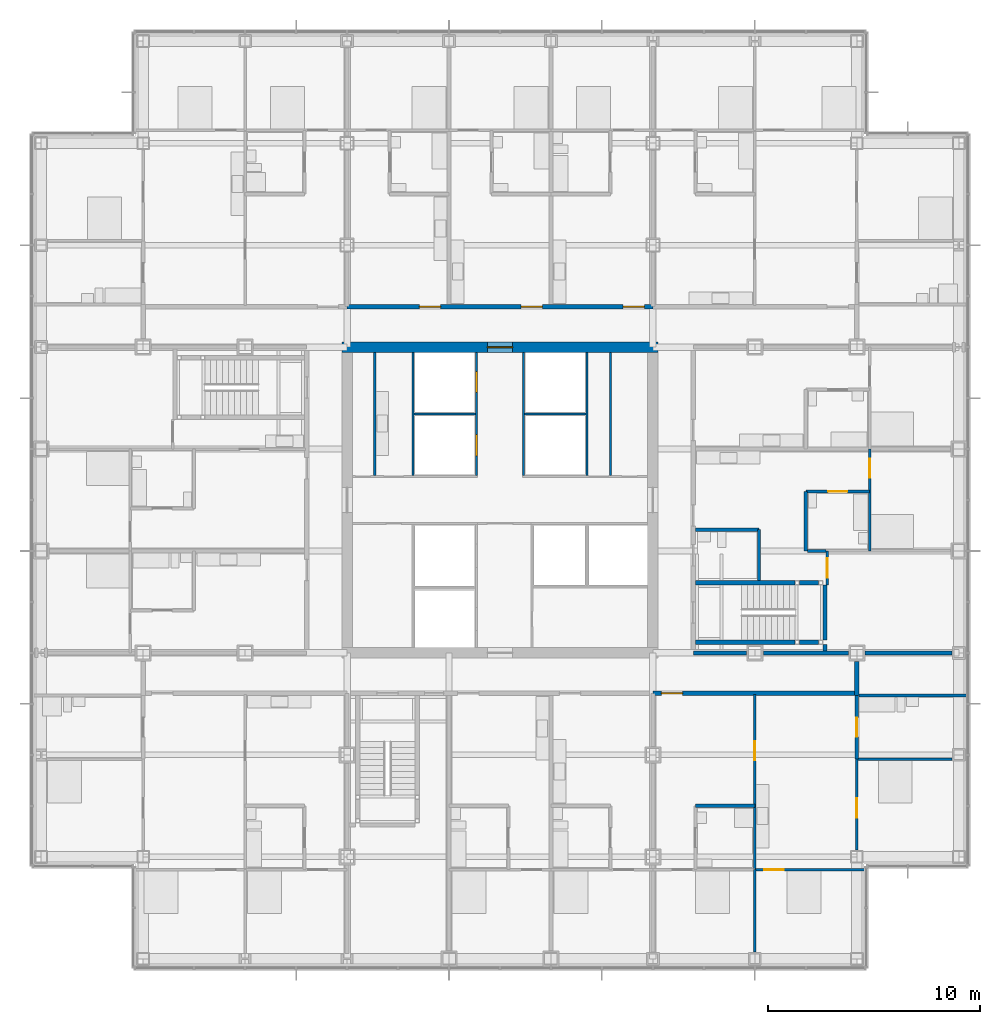
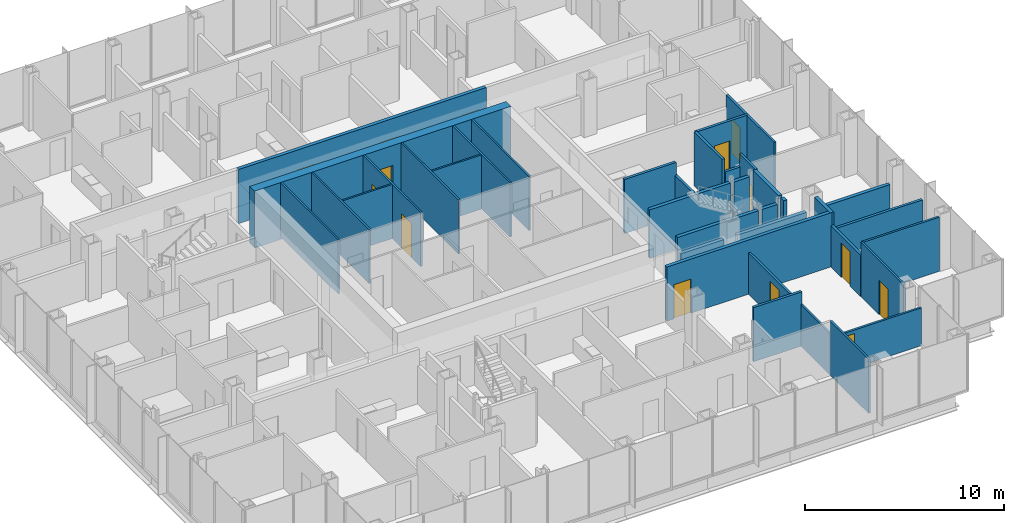
# One storey, part 16 of 21: 36 walls, 14 doors, 14 openings.
"""IFC4 building model written with IfcOpenShell, lengths in metres."""

from ifc_helpers import new_model, si_unit, direction, frame, frame_2d, origin, place, context, subcontext, project, spatial, rectangle, extrude, material, layer, layer_set, type_object, element, fill, save


model = new_model("IFC4")

# Units and contexts
model_context = context("Model", 3, precision=1e-05, world=origin(), true_north=direction((0.0, 1.0)))
body_context = subcontext(model_context, "Body", "Model", "MODEL_VIEW")
ifc_project = project(units=[si_unit("LENGTHUNIT", "METRE"), si_unit("AREAUNIT", "SQUARE_METRE"), si_unit("VOLUMEUNIT", "CUBIC_METRE"), si_unit("PLANEANGLEUNIT", "RADIAN"), si_unit("MASSUNIT", "GRAM", prefix="KILO")], contexts=[model_context])

# Site, building, storey
site_placement = place(None, origin())
site = spatial("IfcSite", under=ifc_project, at=site_placement, CompositionType="ELEMENT")
building_placement = place(site_placement, origin())
building = spatial("IfcBuilding", under=site, at=building_placement, Name="Kvirike Care Tower", CompositionType="ELEMENT")
storey_placement = place(building_placement, frame((0.0, 0.0, 51.5)))
storey = spatial("IfcBuildingStorey", under=building, at=storey_placement, Name="L13", CompositionType="ELEMENT", Elevation=51.5)

# Wall
ifc_material_1 = material(Name="Moisture-resistant board partition", Category="gypsum")
ifc_layer_1 = layer(ifc_material_1, 0.14990234375)
ifc_layer_set_1 = layer_set([ifc_layer_1], Name="BATHROOM WALL 150")
wall_type_1 = type_object("IfcWallType", Name="BATHROOM WALL 150", PredefinedType="PARTITIONING", material=ifc_layer_set_1)
wall_1_placement = place(storey_placement, frame((30.800048828125, 21.60009765625, 0.0), z_axis=(0.0, 0.0, 1.0), x_axis=(1.0, 0.0, 0.0)))
element("IfcWall", 1, at=wall_1_placement, inside=storey, type_object=wall_type_1, Name="Bathroom Wall 150 L13", PredefinedType="PARTITIONING", context=body_context, shape_type="SweptSolid", body=[
    extrude(rectangle(XDim=2.800048828125, YDim=0.14990234375, at=frame_2d((1.39990234375, 0.0))), origin(), (0.0, 0.0, 1.0), 3.330078125),
])

# Wall, opening, door
wall_2_placement = place(storey_placement, frame((38.39990234375, 23.800048828125, 0.0), z_axis=(0.0, 0.0, 1.0), x_axis=(0.0, 1.0, 0.0)))
wall_2 = element("IfcWall", 2, at=wall_2_placement, inside=storey, type_object=wall_type_1, Name="Bathroom Wall 150 L13", PredefinedType="PARTITIONING", context=body_context, shape_type="SweptSolid", body=[
    extrude(rectangle(XDim=3.0, YDim=0.14990234375, at=frame_2d((1.5, 0.0))), origin(), (0.0, 0.0, 1.0), 2.550048828125),
])
opening_1_placement = place(wall_2_placement, frame((1.050048828125, 0.0, 0.0)))
opening_1 = element("IfcOpeningElement", 3, at=opening_1_placement, cuts=wall_2, Name="Opening 13-042", PredefinedType="OPENING", context=body_context, shape_type="SweptSolid", body=[
    extrude(rectangle(XDim=0.89990234375, YDim=2.10009765625, at=frame_2d((0.449951171875, 1.050048828125))), frame((0.0, 0.08544921875, 0.0), z_axis=(0.0, -1.0, 0.0), x_axis=(1.0, 0.0, 0.0)), (0.0, 0.0, 1.0), 0.1708984375),
])
ifc_material_2 = material(Name="Timber door set", Category="wood")
door_type_1 = type_object("IfcDoorType", Name="BATHROOM DOOR 900", OperationType="SINGLE_SWING_RIGHT", PredefinedType="DOOR", material=ifc_material_2)
door_1_placement = place(opening_1_placement, frame((0.89990234375, 0.0, 0.0), z_axis=(0.0, 0.0, 1.0), x_axis=(-1.0, 0.0, 0.0)))
door_1 = element("IfcDoor", 4, at=door_1_placement, inside=storey, type_object=door_type_1, Name="Bathroom door", OperationType="SINGLE_SWING_RIGHT", OverallHeight=2.10009765625, OverallWidth=0.89990234375, PredefinedType="DOOR", context=body_context, shape_type="SweptSolid", body=[
    extrude(rectangle(XDim=0.89990234375, YDim=2.10009765625, at=frame_2d((0.449951171875, 1.050048828125))), frame((0.0, 0.02197265625, 0.0), z_axis=(0.0, -1.0, 0.0), x_axis=(1.0, 0.0, 0.0)), (0.0, 0.0, 1.0), 0.0439453125),
])
fill(opening_1, door_1)

# Walls
wall_3_placement = place(storey_placement, frame((33.800048828125, 32.199951171875, 0.0), z_axis=(0.0, 0.0, 1.0), x_axis=(0.0, 1.0, 0.0)))
element("IfcWall", 5, at=wall_3_placement, inside=storey, type_object=wall_type_1, Name="Bathroom Wall 150 L13", PredefinedType="PARTITIONING", context=body_context, shape_type="SweptSolid", body=[
    extrude(rectangle(XDim=2.400146484375, YDim=0.14990234375, at=frame_2d((1.2001953125, 0.0))), origin(), (0.0, 0.0, 1.0), 2.550048828125),
])
wall_4_placement = place(storey_placement, frame((33.800048828125, 34.60009765625, 0.0), z_axis=(0.0, 0.0, 1.0), x_axis=(-1.0, 0.0, 0.0)))
element("IfcWall", 6, at=wall_4_placement, inside=storey, type_object=wall_type_1, Name="Bathroom Wall 150 L13", PredefinedType="PARTITIONING", context=body_context, shape_type="SweptSolid", body=[
    extrude(rectangle(XDim=3.0, YDim=0.14990234375, at=frame_2d((1.5, 0.0))), origin(), (0.0, 0.0, 1.0), 3.330078125),
])

# Wall, opening, door
wall_5_placement = place(storey_placement, frame((39.0, 36.39990234375, 0.0), z_axis=(0.0, 0.0, 1.0), x_axis=(-1.0, 0.0, 0.0)))
wall_5 = element("IfcWall", 7, at=wall_5_placement, inside=storey, type_object=wall_type_1, Name="Bathroom Wall 150 L13", PredefinedType="PARTITIONING", context=body_context, shape_type="SweptSolid", body=[
    extrude(rectangle(XDim=3.0, YDim=0.14990234375, at=frame_2d((1.5, 0.0))), origin(), (0.0, 0.0, 1.0), 3.330078125),
])
opening_2_placement = place(wall_5_placement, frame((1.050048828125, 0.0, 0.0)))
opening_2 = element("IfcOpeningElement", 8, at=opening_2_placement, cuts=wall_5, Name="Opening 13-048", PredefinedType="OPENING", context=body_context, shape_type="SweptSolid", body=[
    extrude(rectangle(XDim=0.89990234375, YDim=2.10009765625, at=frame_2d((0.449951171875, 1.050048828125))), frame((0.0, 0.08544921875, 0.0), z_axis=(0.0, -1.0, 0.0), x_axis=(1.0, 0.0, 0.0)), (0.0, 0.0, 1.0), 0.1708984375),
])
door_2_placement = place(opening_2_placement, origin())
door_2 = element("IfcDoor", 9, at=door_2_placement, inside=storey, type_object=door_type_1, Name="Bathroom door", OperationType="SINGLE_SWING_LEFT", OverallHeight=2.10009765625, OverallWidth=0.89990234375, PredefinedType="DOOR", context=body_context, shape_type="SweptSolid", body=[
    extrude(rectangle(XDim=0.89990234375, YDim=2.10009765625, at=frame_2d((0.449951171875, 1.050048828125))), frame((0.0, 0.02197265625, 0.0), z_axis=(0.0, -1.0, 0.0), x_axis=(1.0, 0.0, 0.0)), (0.0, 0.0, 1.0), 0.0439453125),
])
fill(opening_2, door_2)

# Walls
wall_6_placement = place(storey_placement, frame((36.0, 33.60009765625, 0.0), z_axis=(0.0, 0.0, 1.0), x_axis=(0.0, 1.0, 0.0)))
element("IfcWall", 10, at=wall_6_placement, inside=storey, type_object=wall_type_1, Name="Bathroom Wall 150 L13", PredefinedType="PARTITIONING", context=body_context, shape_type="SweptSolid", body=[
    extrude(rectangle(XDim=2.7998046875, YDim=0.14990234375, at=frame_2d((1.39990234375, 0.0))), origin(), (0.0, 0.0, 1.0), 3.330078125),
])
wall_7_placement = place(storey_placement, frame((38.5, 26.800048828125, 0.0), z_axis=(0.0, 0.0, 1.0), x_axis=(1.0, 0.0, 0.0)))
element("IfcWall", 11, at=wall_7_placement, inside=storey, type_object=wall_type_1, Name="Bathroom Wall 150 L13", PredefinedType="PARTITIONING", context=body_context, shape_type="SweptSolid", body=[
    extrude(rectangle(XDim=5.1298828125, YDim=0.14990234375, at=frame_2d((2.56494140625, 0.0))), origin(), (0.0, 0.0, 1.0), 2.320068359375),
])
wall_8_placement = place(storey_placement, frame((36.93994140625, 33.60009765625, 0.0), z_axis=(0.0, 0.0, 1.0), x_axis=(-1.0, 0.0, 0.0)))
element("IfcWall", 12, at=wall_8_placement, inside=storey, type_object=wall_type_1, Name="Bathroom Wall 150 L13", PredefinedType="PARTITIONING", context=body_context, shape_type="SweptSolid", body=[
    extrude(rectangle(XDim=0.864990234375, YDim=0.14990234375, at=frame_2d((0.4326171875, 0.0))), origin(), (0.0, 0.0, 1.0), 2.550048828125),
])

# Wall, opening, door
ifc_material_3 = material(Name="Concrete C60/75", Category="concrete")
ifc_layer_2 = layer(ifc_material_3, 0.5)
ifc_layer_set_2 = layer_set([ifc_layer_2], Name="CORE WALL 500 C60-75")
wall_type_2 = type_object("IfcWallType", Name="CORE WALL 500 C60-75", PredefinedType="SHEAR", material=ifc_layer_set_2)
wall_9_placement = place(storey_placement, frame((29.050048828125, 43.199951171875, -0.169921875), z_axis=(0.0, 0.0, 1.0), x_axis=(-1.0, 0.0, 0.0)))
wall_9 = element("IfcWall", 13, at=wall_9_placement, inside=storey, type_object=wall_type_2, Name="Core wall N L13", PredefinedType="SHEAR", context=body_context, shape_type="SweptSolid", body=[
    extrude(rectangle(XDim=14.900146484375, YDim=0.5, at=frame_2d((7.4501953125, 0.0))), origin(), (0.0, 0.0, 1.0), 3.5),
])
opening_3_placement = place(wall_9_placement, frame((6.85009765625, 0.0, 0.169921875)))
opening_3 = element("IfcOpeningElement", 14, at=opening_3_placement, cuts=wall_9, Name="Opening 13-078", PredefinedType="OPENING", context=body_context, shape_type="SweptSolid", body=[
    extrude(rectangle(XDim=1.199951171875, YDim=2.10009765625, at=frame_2d((0.60009765625, 1.050048828125))), frame((0.0, 0.260498046875, 0.0), z_axis=(0.0, -1.0, 0.0), x_axis=(1.0, 0.0, 0.0)), (0.0, 0.0, 1.0), 0.52099609375),
])
ifc_material_4 = material(Name="Timber door set", Category="wood")
door_type_2 = type_object("IfcDoorType", Name="CORE DOOR 1200", OperationType="SINGLE_SWING_LEFT", PredefinedType="DOOR", material=ifc_material_4)
door_3_placement = place(opening_3_placement, origin())
door_3 = element("IfcDoor", 15, at=door_3_placement, inside=storey, type_object=door_type_2, Name="Core door N L13", OperationType="SINGLE_SWING_LEFT", OverallHeight=2.10009765625, OverallWidth=1.199951171875, PredefinedType="DOOR", context=body_context, shape_type="SweptSolid", body=[
    extrude(rectangle(XDim=1.199951171875, YDim=2.10009765625, at=frame_2d((0.60009765625, 1.050048828125))), frame((0.0, 0.02685546875, 0.0), z_axis=(0.0, -1.0, 0.0), x_axis=(1.0, 0.0, 0.0)), (0.0, 0.0, 1.0), 0.053955078125),
])
fill(opening_3, door_3)

# Wall, openings, doors
ifc_material_5 = material(Name="Plasterboard corridor wall", Category="gypsum")
ifc_layer_3 = layer(ifc_material_5, 0.199951171875)
ifc_layer_set_3 = layer_set([ifc_layer_3], Name="CORRIDOR WALL 200")
wall_type_3 = type_object("IfcWallType", Name="CORRIDOR WALL 200", PredefinedType="PARTITIONING", material=ifc_layer_set_3)
wall_10_placement = place(storey_placement, frame((28.800048828125, 45.10009765625, 0.0), z_axis=(0.0, 0.0, 1.0), x_axis=(-1.0, 0.0, 0.0)))
wall_10 = element("IfcWall", 16, at=wall_10_placement, inside=storey, type_object=wall_type_3, Name="Corridor Wall 200 L13", PredefinedType="PARTITIONING", context=body_context, shape_type="SweptSolid", body=[
    extrude(rectangle(XDim=14.400146484375, YDim=0.199951171875, at=frame_2d((7.2001953125, 0.0))), origin(), (0.0, 0.0, 1.0), 3.330078125),
])
opening_4_placement = place(wall_10_placement, frame((0.39990234375, 0.0, 0.0)))
opening_4 = element("IfcOpeningElement", 17, at=opening_4_placement, cuts=wall_10, Name="Opening 13-038", PredefinedType="OPENING", context=body_context, shape_type="SweptSolid", body=[
    extrude(rectangle(XDim=1.0, YDim=2.10009765625, at=frame_2d((0.5, 1.050048828125))), frame((0.0, 0.110595703125, 0.0), z_axis=(0.0, -1.0, 0.0), x_axis=(1.0, 0.0, 0.0)), (0.0, 0.0, 1.0), 0.220947265625),
])
opening_5_placement = place(wall_10_placement, frame((5.199951171875, 0.0, 0.0)))
opening_5 = element("IfcOpeningElement", 18, at=opening_5_placement, cuts=wall_10, Name="Opening 13-039", PredefinedType="OPENING", context=body_context, shape_type="SweptSolid", body=[
    extrude(rectangle(XDim=1.0, YDim=2.10009765625, at=frame_2d((0.5, 1.050048828125))), frame((0.0, 0.110595703125, 0.0), z_axis=(0.0, -1.0, 0.0), x_axis=(1.0, 0.0, 0.0)), (0.0, 0.0, 1.0), 0.220947265625),
])
opening_6_placement = place(wall_10_placement, frame((10.0, 0.0, 0.0)))
opening_6 = element("IfcOpeningElement", 19, at=opening_6_placement, cuts=wall_10, Name="Opening 13-040", PredefinedType="OPENING", context=body_context, shape_type="SweptSolid", body=[
    extrude(rectangle(XDim=1.0, YDim=2.10009765625, at=frame_2d((0.5, 1.050048828125))), frame((0.0, 0.110595703125, 0.0), z_axis=(0.0, -1.0, 0.0), x_axis=(1.0, 0.0, 0.0)), (0.0, 0.0, 1.0), 0.220947265625),
])
ifc_material_6 = material(Name="Timber door set", Category="wood")
door_type_3 = type_object("IfcDoorType", Name="FLAT ENTRANCE DOOR 1000", OperationType="SINGLE_SWING_LEFT", PredefinedType="DOOR", material=ifc_material_6)
door_4_placement = place(opening_4_placement, frame((1.0, 0.0, 0.0), z_axis=(0.0, 0.0, 1.0), x_axis=(-1.0, 0.0, 0.0)))
door_4 = element("IfcDoor", 20, at=door_4_placement, inside=storey, type_object=door_type_3, Name="Studio apartment entrance", OperationType="SINGLE_SWING_LEFT", OverallHeight=2.10009765625, OverallWidth=1.0, PredefinedType="DOOR", context=body_context, shape_type="SweptSolid", body=[
    extrude(rectangle(XDim=1.0, YDim=2.10009765625, at=frame_2d((0.5, 1.050048828125))), frame((0.0, 0.02685546875, 0.0), z_axis=(0.0, -1.0, 0.0), x_axis=(1.0, 0.0, 0.0)), (0.0, 0.0, 1.0), 0.053955078125),
])
fill(opening_4, door_4)
door_5_placement = place(opening_5_placement, frame((1.0, 0.0, 0.0), z_axis=(0.0, 0.0, 1.0), x_axis=(-1.0, 0.0, 0.0)))
door_5 = element("IfcDoor", 21, at=door_5_placement, inside=storey, type_object=door_type_3, Name="Studio apartment entrance", OperationType="SINGLE_SWING_LEFT", OverallHeight=2.10009765625, OverallWidth=1.0, PredefinedType="DOOR", context=body_context, shape_type="SweptSolid", body=[
    extrude(rectangle(XDim=1.0, YDim=2.10009765625, at=frame_2d((0.5, 1.050048828125))), frame((0.0, 0.02685546875, 0.0), z_axis=(0.0, -1.0, 0.0), x_axis=(1.0, 0.0, 0.0)), (0.0, 0.0, 1.0), 0.053955078125),
])
fill(opening_5, door_5)
door_6_placement = place(opening_6_placement, frame((1.0, 0.0, 0.0), z_axis=(0.0, 0.0, 1.0), x_axis=(-1.0, 0.0, 0.0)))
door_6 = element("IfcDoor", 22, at=door_6_placement, inside=storey, type_object=door_type_3, Name="Studio apartment entrance", OperationType="SINGLE_SWING_LEFT", OverallHeight=2.10009765625, OverallWidth=1.0, PredefinedType="DOOR", context=body_context, shape_type="SweptSolid", body=[
    extrude(rectangle(XDim=1.0, YDim=2.10009765625, at=frame_2d((0.5, 1.050048828125))), frame((0.0, 0.02685546875, 0.0), z_axis=(0.0, -1.0, 0.0), x_axis=(1.0, 0.0, 0.0)), (0.0, 0.0, 1.0), 0.053955078125),
])
fill(opening_6, door_6)

# Wall, opening, door
wall_11_placement = place(storey_placement, frame((28.800048828125, 26.89990234375, 0.0), z_axis=(0.0, 0.0, 1.0), x_axis=(1.0, 0.0, 0.0)))
wall_11 = element("IfcWall", 23, at=wall_11_placement, inside=storey, type_object=wall_type_3, Name="Corridor Wall 200 L13", PredefinedType="PARTITIONING", context=body_context, shape_type="SweptSolid", body=[
    extrude(rectangle(XDim=9.599853515625, YDim=0.199951171875, at=frame_2d((4.7998046875, 0.0))), origin(), (0.0, 0.0, 1.0), 3.330078125),
])
opening_7_placement = place(wall_11_placement, frame((0.39990234375, 0.0, 0.0)))
opening_7 = element("IfcOpeningElement", 24, at=opening_7_placement, cuts=wall_11, Name="Opening 13-047", PredefinedType="OPENING", context=body_context, shape_type="SweptSolid", body=[
    extrude(rectangle(XDim=1.0, YDim=2.10009765625, at=frame_2d((0.5, 1.050048828125))), frame((0.0, 0.110595703125, 0.0), z_axis=(0.0, -1.0, 0.0), x_axis=(1.0, 0.0, 0.0)), (0.0, 0.0, 1.0), 0.220947265625),
])
door_7_placement = place(opening_7_placement, frame((1.0, 0.0, 0.0), z_axis=(0.0, 0.0, 1.0), x_axis=(-1.0, 0.0, 0.0)))
door_7 = element("IfcDoor", 25, at=door_7_placement, inside=storey, type_object=door_type_3, Name="Three-bedroom corner apartment entrance", OperationType="SINGLE_SWING_RIGHT", OverallHeight=2.10009765625, OverallWidth=1.0, PredefinedType="DOOR", context=body_context, shape_type="SweptSolid", body=[
    extrude(rectangle(XDim=1.0, YDim=2.10009765625, at=frame_2d((0.5, 1.050048828125))), frame((0.0, 0.02685546875, 0.0), z_axis=(0.0, -1.0, 0.0), x_axis=(1.0, 0.0, 0.0)), (0.0, 0.0, 1.0), 0.053955078125),
])
fill(opening_7, door_7)

# Wall
wall_12_placement = place(storey_placement, frame((38.39990234375, 26.800048828125, 0.0), z_axis=(0.0, 0.0, 1.0), x_axis=(0.0, 1.0, 0.0)))
element("IfcWall", 26, at=wall_12_placement, inside=storey, type_object=wall_type_3, Name="Corridor Wall 200 L13", PredefinedType="PARTITIONING", context=body_context, shape_type="SweptSolid", body=[
    extrude(rectangle(XDim=1.60498046875, YDim=0.199951171875, at=frame_2d((0.802490234375, 0.0))), origin(), (0.0, 0.0, 1.0), 3.330078125),
])

# Wall, opening, door
ifc_material_7 = material(Name="Plasterboard partition", Category="gypsum")
ifc_layer_4 = layer(ifc_material_7, 0.1201171875)
ifc_layer_set_4 = layer_set([ifc_layer_4], Name="PARTITION 120")
wall_type_4 = type_object("IfcWallType", Name="PARTITION 120", PredefinedType="PARTITIONING", material=ifc_layer_set_4)
wall_13_placement = place(storey_placement, frame((33.60009765625, 18.60009765625, 0.0), z_axis=(0.0, 0.0, 1.0), x_axis=(0.0, 1.0, 0.0)))
wall_13 = element("IfcWall", 27, at=wall_13_placement, inside=storey, type_object=wall_type_4, Name="Partition 120 L13", PredefinedType="PARTITIONING", context=body_context, shape_type="SweptSolid", body=[
    extrude(rectangle(XDim=8.25, YDim=0.1201171875, at=frame_2d((4.125, 0.0))), origin(), (0.0, 0.0, 1.0), 2.550048828125),
])
opening_8_placement = place(wall_13_placement, frame((5.14990234375, 0.0, 0.0)))
opening_8 = element("IfcOpeningElement", 28, at=opening_8_placement, cuts=wall_13, Name="Opening 13-043", PredefinedType="OPENING", context=body_context, shape_type="SweptSolid", body=[
    extrude(rectangle(XDim=0.89990234375, YDim=2.10009765625, at=frame_2d((0.449951171875, 1.050048828125))), frame((0.0, 0.070556640625, 0.0), z_axis=(0.0, -1.0, 0.0), x_axis=(1.0, 0.0, 0.0)), (0.0, 0.0, 1.0), 0.14111328125),
])
ifc_material_8 = material(Name="Timber door set", Category="wood")
door_type_4 = type_object("IfcDoorType", Name="INTERNAL DOOR 900", OperationType="SINGLE_SWING_LEFT", PredefinedType="DOOR", material=ifc_material_8)
door_8_placement = place(opening_8_placement, origin())
door_8 = element("IfcDoor", 29, at=door_8_placement, inside=storey, type_object=door_type_4, Name="Hall door", OperationType="SINGLE_SWING_RIGHT", OverallHeight=2.10009765625, OverallWidth=0.89990234375, PredefinedType="DOOR", context=body_context, shape_type="SweptSolid", body=[
    extrude(rectangle(XDim=0.89990234375, YDim=2.10009765625, at=frame_2d((0.449951171875, 1.050048828125))), frame((0.0, 0.02197265625, 0.0), z_axis=(0.0, -1.0, 0.0), x_axis=(1.0, 0.0, 0.0)), (0.0, 0.0, 1.0), 0.0439453125),
])
fill(opening_8, door_8)

wall_14_placement = place(storey_placement, frame((33.60009765625, 18.60009765625, 0.0), z_axis=(0.0, 0.0, 1.0), x_axis=(1.0, 0.0, 0.0)))
wall_14 = element("IfcWall", 30, at=wall_14_placement, inside=storey, type_object=wall_type_4, Name="Partition 120 L13", PredefinedType="PARTITIONING", context=body_context, shape_type="SweptSolid", body=[
    extrude(rectangle(XDim=5.23486328125, YDim=0.1201171875, at=frame_2d((2.617431640625, 0.0))), origin(), (0.0, 0.0, 1.0), 2.320068359375),
])
opening_9_placement = place(wall_14_placement, frame((0.449951171875, 0.0, 0.0)))
opening_9 = element("IfcOpeningElement", 31, at=opening_9_placement, cuts=wall_14, Name="Opening 13-045", PredefinedType="OPENING", context=body_context, shape_type="SweptSolid", body=[
    extrude(rectangle(XDim=0.89990234375, YDim=2.10009765625, at=frame_2d((0.449951171875, 1.050048828125))), frame((0.0, 0.070556640625, 0.0), z_axis=(0.0, -1.0, 0.0), x_axis=(1.0, 0.0, 0.0)), (0.0, 0.0, 1.0), 0.14111328125),
])
door_9_placement = place(opening_9_placement, frame((0.89990234375, 0.0, 0.0), z_axis=(0.0, 0.0, 1.0), x_axis=(-1.0, 0.0, 0.0)))
door_9 = element("IfcDoor", 32, at=door_9_placement, inside=storey, type_object=door_type_4, Name="Apartment bedroom door", OperationType="SINGLE_SWING_LEFT", OverallHeight=2.10009765625, OverallWidth=0.89990234375, PredefinedType="DOOR", context=body_context, shape_type="SweptSolid", body=[
    extrude(rectangle(XDim=0.89990234375, YDim=2.10009765625, at=frame_2d((0.449951171875, 1.050048828125))), frame((0.0, 0.02197265625, 0.0), z_axis=(0.0, -1.0, 0.0), x_axis=(1.0, 0.0, 0.0)), (0.0, 0.0, 1.0), 0.0439453125),
])
fill(opening_9, door_9)

# Walls
wall_15_placement = place(storey_placement, frame((38.39990234375, 23.800048828125, 0.0), z_axis=(0.0, 0.0, 1.0), x_axis=(1.0, 0.0, 0.0)))
element("IfcWall", 33, at=wall_15_placement, inside=storey, type_object=wall_type_4, Name="Partition 120 L13", PredefinedType="PARTITIONING", context=body_context, shape_type="SweptSolid", body=[
    extrude(rectangle(XDim=4.47998046875, YDim=0.1201171875, at=frame_2d((2.239990234375, 0.0))), origin(), (0.0, 0.0, 1.0), 3.330078125),
])
wall_16_placement = place(storey_placement, frame((33.60009765625, 14.719970703125, 0.0), z_axis=(0.0, 0.0, 1.0), x_axis=(0.0, 1.0, 0.0)))
element("IfcWall", 34, at=wall_16_placement, inside=storey, type_object=wall_type_4, Name="Partition 120 L13", PredefinedType="PARTITIONING", context=body_context, shape_type="SweptSolid", body=[
    extrude(rectangle(XDim=3.880126953125, YDim=0.1201171875, at=frame_2d((1.93994140625, 0.0))), origin(), (0.0, 0.0, 1.0), 3.330078125),
])

# Wall, opening, door
wall_17_placement = place(storey_placement, frame((38.39990234375, 19.52001953125, 0.0), z_axis=(0.0, 0.0, 1.0), x_axis=(0.0, 1.0, 0.0)))
wall_17 = element("IfcWall", 35, at=wall_17_placement, inside=storey, type_object=wall_type_4, Name="Partition 120 L13", PredefinedType="PARTITIONING", context=body_context, shape_type="SweptSolid", body=[
    extrude(rectangle(XDim=4.280029296875, YDim=0.1201171875, at=frame_2d((2.14013671875, 0.0))), origin(), (0.0, 0.0, 1.0), 3.330078125),
])
opening_10_placement = place(wall_17_placement, frame((1.530029296875, 0.0, 0.0)))
opening_10 = element("IfcOpeningElement", 36, at=opening_10_placement, cuts=wall_17, Name="Opening 13-046", PredefinedType="OPENING", context=body_context, shape_type="SweptSolid", body=[
    extrude(rectangle(XDim=0.89990234375, YDim=2.10009765625, at=frame_2d((0.449951171875, 1.050048828125))), frame((0.0, 0.070556640625, 0.0), z_axis=(0.0, -1.0, 0.0), x_axis=(1.0, 0.0, 0.0)), (0.0, 0.0, 1.0), 0.14111328125),
])
door_10_placement = place(opening_10_placement, frame((0.89990234375, 0.0, 0.0), z_axis=(0.0, 0.0, 1.0), x_axis=(-1.0, 0.0, 0.0)))
door_10 = element("IfcDoor", 37, at=door_10_placement, inside=storey, type_object=door_type_4, Name="Connecting door", OperationType="SINGLE_SWING_RIGHT", OverallHeight=2.10009765625, OverallWidth=0.89990234375, PredefinedType="DOOR", context=body_context, shape_type="SweptSolid", body=[
    extrude(rectangle(XDim=0.89990234375, YDim=2.10009765625, at=frame_2d((0.449951171875, 1.050048828125))), frame((0.0, 0.02197265625, 0.0), z_axis=(0.0, -1.0, 0.0), x_axis=(1.0, 0.0, 0.0)), (0.0, 0.0, 1.0), 0.0439453125),
])
fill(opening_10, door_10)

wall_18_placement = place(storey_placement, frame((37.0, 32.0, 0.0), z_axis=(0.0, 0.0, 1.0), x_axis=(0.0, 1.0, 0.0)))
wall_18 = element("IfcWall", 38, at=wall_18_placement, inside=storey, type_object=wall_type_4, Name="Partition 120 L13", PredefinedType="PARTITIONING", context=body_context, shape_type="SweptSolid", body=[
    extrude(rectangle(XDim=1.60009765625, YDim=0.1201171875, at=frame_2d((0.800048828125, 0.0))), origin(), (0.0, 0.0, 1.0), 3.330078125),
])
opening_11_placement = place(wall_18_placement, frame((0.35009765625, 0.0, 0.0)))
opening_11 = element("IfcOpeningElement", 39, at=opening_11_placement, cuts=wall_18, Name="Opening 13-049", PredefinedType="OPENING", context=body_context, shape_type="SweptSolid", body=[
    extrude(rectangle(XDim=0.89990234375, YDim=2.10009765625, at=frame_2d((0.449951171875, 1.050048828125))), frame((0.0, 0.070556640625, 0.0), z_axis=(0.0, -1.0, 0.0), x_axis=(1.0, 0.0, 0.0)), (0.0, 0.0, 1.0), 0.14111328125),
])
door_11_placement = place(opening_11_placement, frame((0.89990234375, 0.0, 0.0), z_axis=(0.0, 0.0, 1.0), x_axis=(-1.0, 0.0, 0.0)))
door_11 = element("IfcDoor", 40, at=door_11_placement, inside=storey, type_object=door_type_4, Name="Apartment living room door", OperationType="SINGLE_SWING_RIGHT", OverallHeight=2.10009765625, OverallWidth=0.89990234375, PredefinedType="DOOR", context=body_context, shape_type="SweptSolid", body=[
    extrude(rectangle(XDim=0.89990234375, YDim=2.10009765625, at=frame_2d((0.449951171875, 1.050048828125))), frame((0.0, 0.02197265625, 0.0), z_axis=(0.0, -1.0, 0.0), x_axis=(1.0, 0.0, 0.0)), (0.0, 0.0, 1.0), 0.0439453125),
])
fill(opening_11, door_11)

wall_19_placement = place(storey_placement, frame((39.0, 33.60009765625, 0.0), z_axis=(0.0, 0.0, 1.0), x_axis=(0.0, 1.0, 0.0)))
wall_19 = element("IfcWall", 41, at=wall_19_placement, inside=storey, type_object=wall_type_4, Name="Partition 120 L13", PredefinedType="PARTITIONING", context=body_context, shape_type="SweptSolid", body=[
    extrude(rectangle(XDim=4.7998046875, YDim=0.1201171875, at=frame_2d((2.39990234375, 0.0))), origin(), (0.0, 0.0, 1.0), 3.330078125),
])
opening_12_placement = place(wall_19_placement, frame((3.449951171875, 0.0, 0.0)))
opening_12 = element("IfcOpeningElement", 42, at=opening_12_placement, cuts=wall_19, Name="Opening 13-050", PredefinedType="OPENING", context=body_context, shape_type="SweptSolid", body=[
    extrude(rectangle(XDim=0.89990234375, YDim=2.10009765625, at=frame_2d((0.449951171875, 1.050048828125))), frame((0.0, 0.070556640625, 0.0), z_axis=(0.0, -1.0, 0.0), x_axis=(1.0, 0.0, 0.0)), (0.0, 0.0, 1.0), 0.14111328125),
])
door_12_placement = place(opening_12_placement, frame((0.89990234375, 0.0, 0.0), z_axis=(0.0, 0.0, 1.0), x_axis=(-1.0, 0.0, 0.0)))
door_12 = element("IfcDoor", 43, at=door_12_placement, inside=storey, type_object=door_type_4, Name="Apartment bedroom door", OperationType="SINGLE_SWING_RIGHT", OverallHeight=2.10009765625, OverallWidth=0.89990234375, PredefinedType="DOOR", context=body_context, shape_type="SweptSolid", body=[
    extrude(rectangle(XDim=0.89990234375, YDim=2.10009765625, at=frame_2d((0.449951171875, 1.050048828125))), frame((0.0, 0.02197265625, 0.0), z_axis=(0.0, -1.0, 0.0), x_axis=(1.0, 0.0, 0.0)), (0.0, 0.0, 1.0), 0.0439453125),
])
fill(opening_12, door_12)

# Walls
ifc_material_9 = material(Name="Plasterboard party wall", Category="gypsum")
ifc_layer_5 = layer(ifc_material_9, 0.199951171875)
ifc_layer_set_5 = layer_set([ifc_layer_5], Name="PARTY WALL 200")
wall_type_5 = type_object("IfcWallType", Name="PARTY WALL 200", PredefinedType="PARTITIONING", material=ifc_layer_set_5)
wall_20_placement = place(storey_placement, frame((42.8798828125, 28.800048828125, 0.0), z_axis=(0.0, 0.0, 1.0), x_axis=(-1.0, 0.0, 0.0)))
element("IfcWall", 44, at=wall_20_placement, inside=storey, type_object=wall_type_5, Name="Party Wall 200 L13", PredefinedType="PARTITIONING", context=body_context, shape_type="SweptSolid", body=[
    extrude(rectangle(XDim=4.0849609375, YDim=0.199951171875, at=frame_2d((2.04248046875, 0.0))), origin(), (0.0, 0.0, 1.0), 2.320068359375),
])
wall_21_placement = place(storey_placement, frame((38.0048828125, 28.800048828125, 0.0), z_axis=(0.0, 0.0, 1.0), x_axis=(-1.0, 0.0, 0.0)))
element("IfcWall", 45, at=wall_21_placement, inside=storey, type_object=wall_type_5, Name="Party Wall 200 L13", PredefinedType="PARTITIONING", context=body_context, shape_type="SweptSolid", body=[
    extrude(rectangle(XDim=4.009765625, YDim=0.199951171875, at=frame_2d((2.0048828125, 0.0))), origin(), (0.0, 0.0, 1.0), 2.320068359375),
])
wall_22_placement = place(storey_placement, frame((33.205078125, 28.800048828125, 0.0), z_axis=(0.0, 0.0, 1.0), x_axis=(-1.0, 0.0, 0.0)))
element("IfcWall", 46, at=wall_22_placement, inside=storey, type_object=wall_type_5, Name="Party Wall 200 L13", PredefinedType="PARTITIONING", context=body_context, shape_type="SweptSolid", body=[
    extrude(rectangle(XDim=2.505126953125, YDim=0.199951171875, at=frame_2d((1.25244140625, 0.0))), origin(), (0.0, 0.0, 1.0), 2.320068359375),
])
ifc_material_10 = material(Name="Gypsum shaft wall system", Category="gypsum")
ifc_layer_6 = layer(ifc_material_10, 0.10009765625)
ifc_layer_set_6 = layer_set([ifc_layer_6], Name="SHAFT WALL 100")
wall_type_6 = type_object("IfcWallType", Name="SHAFT WALL 100", PredefinedType="SOLIDWALL", material=ifc_layer_set_6)
for number, where, z_axis, x_axis, name in (
    (47, (15.699951171875, 37.14990234375, 0.0), (0.0, 0.0, 1.0), (0.0, 1.0, 0.0), "Shaft Wall 100 L13"),
    (48, (26.800048828125, 37.14990234375, 0.0), (0.0, 0.0, 1.0), (0.0, 1.0, 0.0), "Shaft Wall 100 L13"),
):
    element("IfcWall", number, at=place(storey_placement, frame(where, z_axis=z_axis, x_axis=x_axis)), inside=storey, type_object=wall_type_6, Name=name, PredefinedType="SOLIDWALL", context=body_context, shape_type="SweptSolid", body=[
        extrude(rectangle(XDim=5.800048828125, YDim=0.10009765625, at=frame_2d((2.89990234375, 0.0))), origin(), (0.0, 0.0, 1.0), 3.330078125),
    ])

# Wall, openings, doors
wall_23_placement = place(storey_placement, frame((20.5, 37.14990234375, 0.0), z_axis=(0.0, 0.0, 1.0), x_axis=(0.0, 1.0, 0.0)))
wall_23 = element("IfcWall", 49, at=wall_23_placement, inside=storey, type_object=wall_type_6, Name="Shaft Wall 100 L13", PredefinedType="SOLIDWALL", context=body_context, shape_type="SweptSolid", body=[
    extrude(rectangle(XDim=5.800048828125, YDim=0.10009765625, at=frame_2d((2.89990234375, 0.0))), origin(), (0.0, 0.0, 1.0), 3.330078125),
])
opening_13_placement = place(wall_23_placement, frame((0.925048828125, 0.0, 0.0)))
opening_13 = element("IfcOpeningElement", 50, at=opening_13_placement, cuts=wall_23, Name="Opening 13-066", PredefinedType="OPENING", context=body_context, shape_type="SweptSolid", body=[
    extrude(rectangle(XDim=1.0, YDim=2.10009765625, at=frame_2d((0.5, 1.050048828125))), frame((0.0, 0.060546875, 0.0), z_axis=(0.0, -1.0, 0.0), x_axis=(1.0, 0.0, 0.0)), (0.0, 0.0, 1.0), 0.12109375),
])
opening_14_placement = place(wall_23_placement, frame((3.89990234375, 0.0, 0.0)))
opening_14 = element("IfcOpeningElement", 51, at=opening_14_placement, cuts=wall_23, Name="Opening 13-067", PredefinedType="OPENING", context=body_context, shape_type="SweptSolid", body=[
    extrude(rectangle(XDim=1.0, YDim=2.10009765625, at=frame_2d((0.5, 1.050048828125))), frame((0.0, 0.060546875, 0.0), z_axis=(0.0, -1.0, 0.0), x_axis=(1.0, 0.0, 0.0)), (0.0, 0.0, 1.0), 0.12109375),
])
ifc_material_11 = material(Name="Aluminium door frame", Category="aluminium")
door_type_5 = type_object("IfcDoorType", Name="LIFT LANDING DOOR 1000", OperationType="SLIDING_TO_LEFT", PredefinedType="DOOR", material=ifc_material_11)
door_13_placement = place(opening_13_placement, origin())
door_13 = element("IfcDoor", 52, at=door_13_placement, inside=storey, type_object=door_type_5, Name="Lift P1 landing door", OperationType="SLIDING_TO_LEFT", OverallHeight=2.10009765625, OverallWidth=1.0, PredefinedType="DOOR", context=body_context, shape_type="SweptSolid", body=[
    extrude(rectangle(XDim=1.0, YDim=2.10009765625, at=frame_2d((0.5, 1.050048828125))), frame((0.0, 0.0498046875, 0.0), z_axis=(0.0, -1.0, 0.0), x_axis=(1.0, 0.0, 0.0)), (0.0, 0.0, 1.0), 0.099609375),
])
fill(opening_13, door_13)
door_14_placement = place(opening_14_placement, origin())
door_14 = element("IfcDoor", 53, at=door_14_placement, inside=storey, type_object=door_type_5, Name="Lift P2 landing door", OperationType="SLIDING_TO_LEFT", OverallHeight=2.10009765625, OverallWidth=1.0, PredefinedType="DOOR", context=body_context, shape_type="SweptSolid", body=[
    extrude(rectangle(XDim=1.0, YDim=2.10009765625, at=frame_2d((0.5, 1.050048828125))), frame((0.0, 0.0498046875, 0.0), z_axis=(0.0, -1.0, 0.0), x_axis=(1.0, 0.0, 0.0)), (0.0, 0.0, 1.0), 0.099609375),
])
fill(opening_14, door_14)

# Walls
for number, where, z_axis, x_axis, name in (
    (54, (22.699951171875, 37.14990234375, 0.0), (0.0, 0.0, 1.0), (0.0, 1.0, 0.0), "Shaft Wall 100 L13"),
    (55, (17.5, 37.14990234375, 0.0), (0.0, 0.0, 1.0), (0.0, 1.0, 0.0), "Shaft Wall 100 L13"),
):
    element("IfcWall", number, at=place(storey_placement, frame(where, z_axis=z_axis, x_axis=x_axis)), inside=storey, type_object=wall_type_6, Name=name, PredefinedType="SOLIDWALL", context=body_context, shape_type="SweptSolid", body=[
        extrude(rectangle(XDim=5.800048828125, YDim=0.10009765625, at=frame_2d((2.89990234375, 0.0))), origin(), (0.0, 0.0, 1.0), 3.330078125),
    ])
for number, where, z_axis, x_axis, name in (
    (56, (17.550048828125, 40.050048828125, 0.0), (0.0, 0.0, 1.0), (1.0, 0.0, 0.0), "Shaft Wall 100 L13"),
    (57, (22.75, 40.050048828125, 0.0), (0.0, 0.0, 1.0), (1.0, 0.0, 0.0), "Shaft Wall 100 L13"),
):
    element("IfcWall", number, at=place(storey_placement, frame(where, z_axis=z_axis, x_axis=x_axis)), inside=storey, type_object=wall_type_6, Name=name, PredefinedType="SOLIDWALL", context=body_context, shape_type="SweptSolid", body=[
        extrude(rectangle(XDim=2.89990234375, YDim=0.10009765625, at=frame_2d((1.449951171875, 0.0))), origin(), (0.0, 0.0, 1.0), 3.330078125),
    ])
wall_24_placement = place(storey_placement, frame((25.699951171875, 37.14990234375, 0.0), z_axis=(0.0, 0.0, 1.0), x_axis=(0.0, 1.0, 0.0)))
element("IfcWall", 58, at=wall_24_placement, inside=storey, type_object=wall_type_6, Name="Shaft Wall 100 L13", PredefinedType="SOLIDWALL", context=body_context, shape_type="SweptSolid", body=[
    extrude(rectangle(XDim=5.800048828125, YDim=0.10009765625, at=frame_2d((2.89990234375, 0.0))), origin(), (0.0, 0.0, 1.0), 3.330078125),
])
ifc_material_12 = material(Name="Concrete C40/50", Category="concrete")
ifc_layer_7 = layer(ifc_material_12, 0.199951171875)
ifc_layer_set_7 = layer_set([ifc_layer_7], Name="STAIR WALL 200")
wall_type_7 = type_object("IfcWallType", Name="STAIR WALL 200", PredefinedType="SOLIDWALL", material=ifc_layer_set_7)
wall_25_placement = place(storey_placement, frame((36.60009765625, 29.300048828125, 0.0), z_axis=(0.0, 0.0, 1.0), x_axis=(-1.0, 0.0, 0.0)))
element("IfcWall", 59, at=wall_25_placement, inside=storey, type_object=wall_type_7, Name="Stair Wall 200 L13", PredefinedType="SOLIDWALL", context=body_context, shape_type="SweptSolid", body=[
    extrude(rectangle(XDim=0.900146484375, YDim=0.199951171875, at=frame_2d((0.4501953125, 0.0))), origin(), (0.0, 0.0, 1.0), 2.989990234375),
])
wall_26_placement = place(storey_placement, frame((35.5, 29.300048828125, 0.0), z_axis=(0.0, 0.0, 1.0), x_axis=(-1.0, 0.0, 0.0)))
element("IfcWall", 60, at=wall_26_placement, inside=storey, type_object=wall_type_7, Name="Stair Wall 200 L13", PredefinedType="SOLIDWALL", context=body_context, shape_type="SweptSolid", body=[
    extrude(rectangle(XDim=4.699951171875, YDim=0.199951171875, at=frame_2d((2.35009765625, 0.0))), origin(), (0.0, 0.0, 1.0), 2.989990234375),
])
wall_27_placement = place(storey_placement, frame((36.60009765625, 32.10009765625, 0.0), z_axis=(0.0, 0.0, 1.0), x_axis=(-1.0, 0.0, 0.0)))
element("IfcWall", 61, at=wall_27_placement, inside=storey, type_object=wall_type_7, Name="Stair Wall 200 L13", PredefinedType="SOLIDWALL", context=body_context, shape_type="SweptSolid", body=[
    extrude(rectangle(XDim=0.900146484375, YDim=0.199951171875, at=frame_2d((0.4501953125, 0.0))), origin(), (0.0, 0.0, 1.0), 2.989990234375),
])
wall_28_placement = place(storey_placement, frame((35.5, 32.10009765625, 0.0), z_axis=(0.0, 0.0, 1.0), x_axis=(-1.0, 0.0, 0.0)))
element("IfcWall", 62, at=wall_28_placement, inside=storey, type_object=wall_type_7, Name="Stair Wall 200 L13", PredefinedType="SOLIDWALL", context=body_context, shape_type="SweptSolid", body=[
    extrude(rectangle(XDim=4.699951171875, YDim=0.199951171875, at=frame_2d((2.35009765625, 0.0))), origin(), (0.0, 0.0, 1.0), 2.989990234375),
])
wall_29_placement = place(storey_placement, frame((36.89990234375, 28.89990234375, 0.0), z_axis=(0.0, 0.0, 1.0), x_axis=(0.0, 1.0, 0.0)))
element("IfcWall", 63, at=wall_29_placement, inside=storey, type_object=wall_type_7, Name="Stair Wall 200 L13", PredefinedType="SOLIDWALL", context=body_context, shape_type="SweptSolid", body=[
    extrude(rectangle(XDim=0.300048828125, YDim=0.199951171875, at=frame_2d((0.14990234375, 0.0))), origin(), (0.0, 0.0, 1.0), 3.330078125),
])
wall_30_placement = place(storey_placement, frame((36.89990234375, 29.39990234375, 0.0), z_axis=(0.0, 0.0, 1.0), x_axis=(0.0, 1.0, 0.0)))
element("IfcWall", 64, at=wall_30_placement, inside=storey, type_object=wall_type_7, Name="Stair Wall 200 L13", PredefinedType="SOLIDWALL", context=body_context, shape_type="SweptSolid", body=[
    extrude(rectangle(XDim=2.60009765625, YDim=0.199951171875, at=frame_2d((1.300048828125, 0.0))), origin(), (0.0, 0.0, 1.0), 3.330078125),
])

save(model, "model.ifc")
